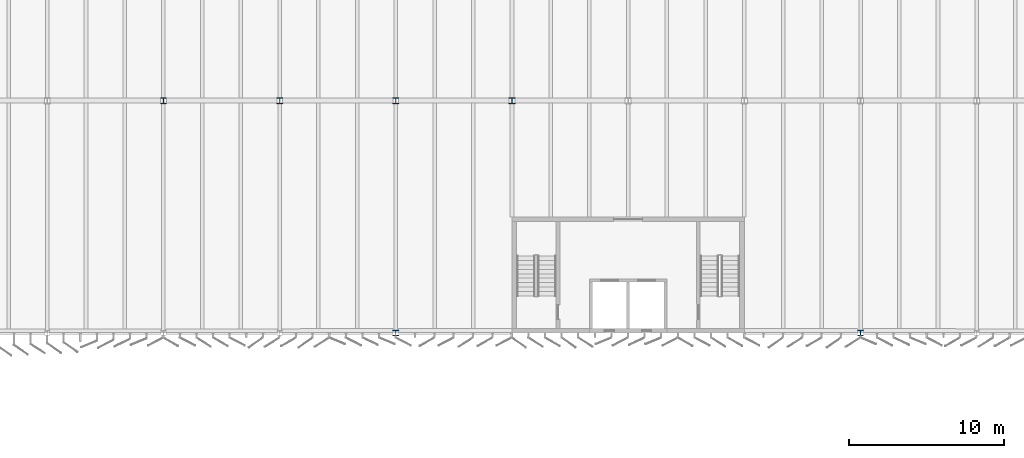
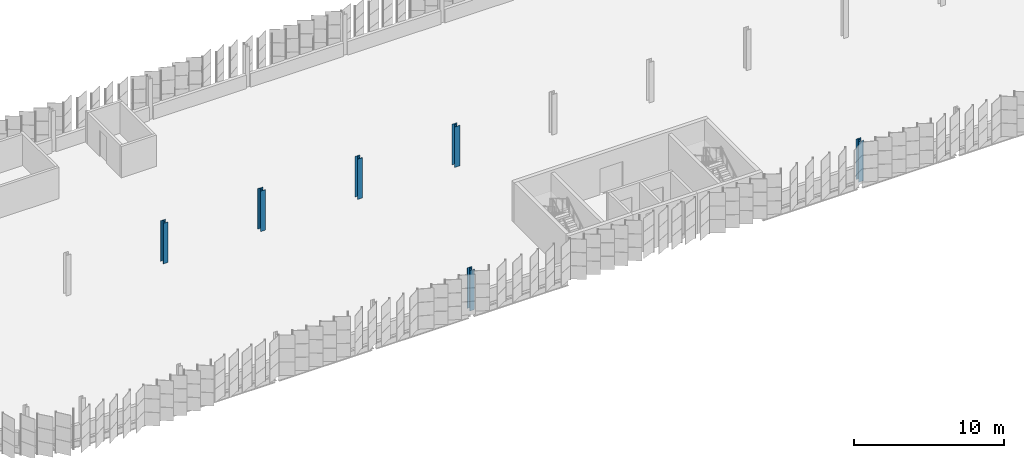
# One storey, part 10 of 199: 6 columns.
"""IFC4 building model written with IfcOpenShell, lengths in metres."""

from ifc_helpers import new_model, si_unit, direction, frame, origin, origin_2d, place, context, subcontext, project, spatial, i_section, extrude, material, material_profile, profile_set, type_object, element, save


model = new_model("IFC4")

# Units and contexts
model_context = context("Model", 3, precision=1e-05, world=origin(), true_north=direction((0.0, 1.0)))
body_context = subcontext(model_context, "Body", "Model", "MODEL_VIEW")
ifc_project = project(units=[si_unit("LENGTHUNIT", "METRE"), si_unit("AREAUNIT", "SQUARE_METRE"), si_unit("VOLUMEUNIT", "CUBIC_METRE"), si_unit("PLANEANGLEUNIT", "RADIAN"), si_unit("MASSUNIT", "GRAM", prefix="KILO")], contexts=[model_context])

# Site, building, storey
site_placement = place(None, origin())
site = spatial("IfcSite", under=ifc_project, at=site_placement, CompositionType="ELEMENT")
building_placement = place(site_placement, origin())
building = spatial("IfcBuilding", under=site, at=building_placement, Name="Parallax Yard Mobility Hub", CompositionType="ELEMENT")
storey_placement = place(building_placement, frame((0.0, 0.0, 9.89990234375)))
storey = spatial("IfcBuildingStorey", under=building, at=storey_placement, Name="L03", CompositionType="ELEMENT", Elevation=9.89990234375)

# Columns
ifc_material = material(Name="Steel ASTM A992", Category="steel")
ifc_material_profile_1 = material_profile(ifc_material, i_section(OverallWidth=0.373046875, OverallDepth=0.367919921875, WebThickness=0.014892578125, FlangeThickness=0.02392578125, FilletRadius=0.01513671875, at=origin_2d()), Name="W360x179")
ifc_profile_set_1 = profile_set([ifc_material_profile_1], Name="Steel ASTM A992")
column_type_1 = type_object("IfcColumnType", Name="W360x179 column", PredefinedType="COLUMN", material=ifc_profile_set_1)
for number, where, z_axis, x_axis, name in (
    (1, (45.0, 127.5, 0.0), (0.0, 0.0, 1.0), (1.0, 0.0, 0.0), "Column C7 level L03 at T/7 of ramped parking decks"),
    (2, (52.5, 127.5, 0.0), (0.0, 0.0, 1.0), (1.0, 0.0, 0.0), "Column C7 level L03 at T/8 of ramped parking decks"),
    (3, (60.0, 112.5, 0.0), (0.0, 0.0, 1.0), (1.0, 0.0, 0.0), "Column C7 level L03 at R/9 of ramped parking decks"),
    (4, (60.0, 127.5, 0.0), (0.0, 0.0, 1.0), (1.0, 0.0, 0.0), "Column C7 level L03 at T/9 of ramped parking decks"),
    (5, (90.0, 112.5, 0.0), (0.0, 0.0, 1.0), (1.0, 0.0, 0.0), "Column C7 level L03 at R/13 of ramped parking decks"),
):
    element("IfcColumn", number, at=place(storey_placement, frame(where, z_axis=z_axis, x_axis=x_axis)), inside=storey, type_object=column_type_1, Name=name, PredefinedType="COLUMN", context=body_context, shape_type="SweptSolid", body=[
        extrude(i_section(OverallWidth=0.373046875, OverallDepth=0.367919921875, WebThickness=0.014892578125, FlangeThickness=0.02392578125, FilletRadius=0.01513671875, at=origin_2d()), origin(), (0.0, 0.0, 1.0), 3.300048828125),
    ])
ifc_material_profile_2 = material_profile(ifc_material, i_section(OverallWidth=0.39404296875, OverallDepth=0.3759765625, WebThickness=0.017333984375, FlangeThickness=0.027587890625, FilletRadius=0.01513671875, at=origin_2d()), Name="W360x216")
ifc_profile_set_2 = profile_set([ifc_material_profile_2], Name="Steel ASTM A992")
column_type_2 = type_object("IfcColumnType", Name="W360x216 column", PredefinedType="COLUMN", material=ifc_profile_set_2)
column_placement = place(storey_placement, frame((67.5, 127.5, 0.0), z_axis=(0.0, 0.0, 1.0), x_axis=(1.0, 0.0, 0.0)))
element("IfcColumn", 6, at=column_placement, inside=storey, type_object=column_type_2, Name="Column C9 level L03 at T/10 of ramped parking decks", PredefinedType="COLUMN", context=body_context, shape_type="SweptSolid", body=[
    extrude(i_section(OverallWidth=0.39404296875, OverallDepth=0.3759765625, WebThickness=0.017333984375, FlangeThickness=0.027587890625, FilletRadius=0.01513671875, at=origin_2d()), origin(), (0.0, 0.0, 1.0), 3.300048828125),
])

save(model, "model.ifc")
